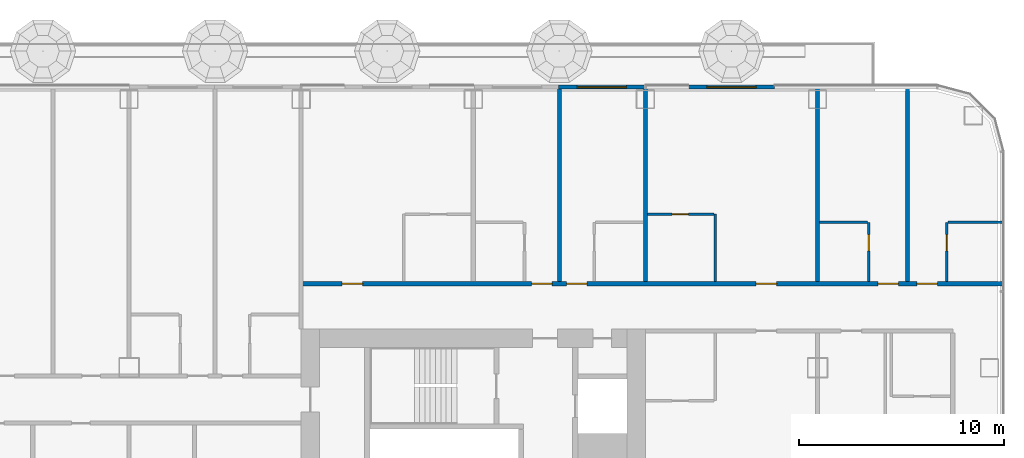
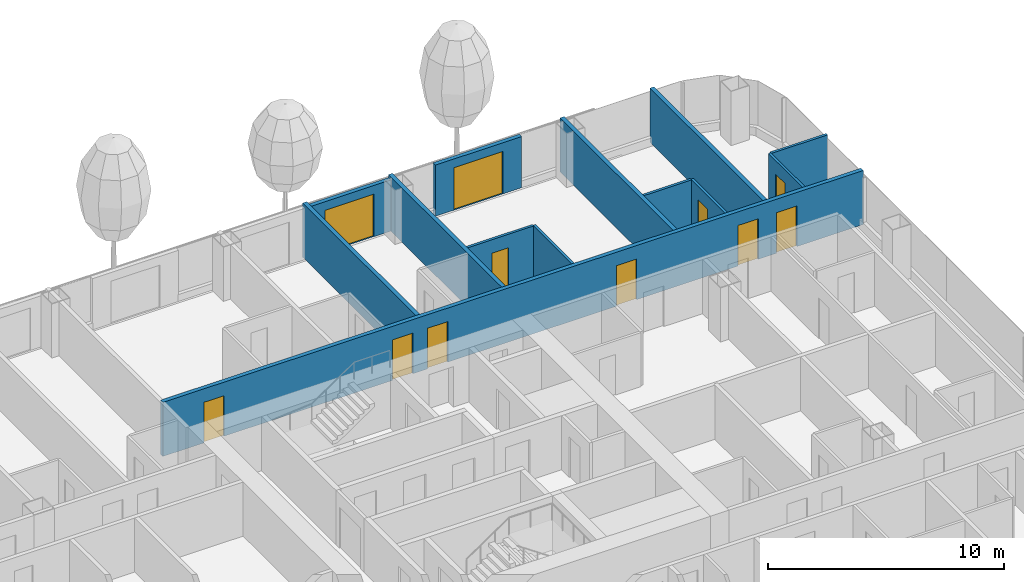
# One storey, part 20 of 36: 13 walls, 11 doors, 11 openings, 1 element without a shape of its own.
"""IFC4 building model written with IfcOpenShell, lengths in metres."""

import ifcopenshell
import ifcopenshell.guid

model = None  # the IFC model being written
_history = None  # IfcOwnerHistory: only IFC2X3 demands one
_inside = {}  # id of a spatial element -> (the spatial element, [elements in it])
_under = {}  # id of a project, library or spatial element -> (it, [spatial elements below it])
_declared = {}  # id of a project -> (the project, [libraries it declares])
_typed = {}  # id of a type object -> (the type object, [elements of that type])
_made_of = {}  # id of a material, layer set ... -> (it, [elements and type objects made of it])


def new_model(schema):
    """Start an empty IFC model of exactly this schema.

    Asked for "IFC4X3", IfcOpenShell would pick the latest addendum, in which some entities
    have other attributes; the version numbers below select the first issue.
    IFC2X3 requires an IfcOwnerHistory on every rooted entity: one is made here for all.
    """
    global model, _history
    if schema == "IFC4X3":
        model = ifcopenshell.file(schema_version=(4, 3, 0, 0))
    else:
        model = ifcopenshell.file(schema=schema)
    _inside.clear()
    _under.clear()
    _declared.clear()
    _typed.clear()
    _made_of.clear()
    _history = None
    if model.schema == "IFC2X3":
        org = make("IfcOrganization", Name="unknown")
        user = make(
            "IfcPersonAndOrganization",
            ThePerson=make("IfcPerson", FamilyName="unknown"),
            TheOrganization=org,
        )
        app = make(
            "IfcApplication",
            ApplicationDeveloper=org,
            Version="unknown",
            ApplicationFullName="unknown",
            ApplicationIdentifier="unknown",
        )
        _history = make(
            "IfcOwnerHistory",
            OwningUser=user,
            OwningApplication=app,
            ChangeAction="ADDED",
            CreationDate=0,
        )
    return model


def make(cls, **values):
    """One entity of the class cls with the attributes given. An attribute that is None is left unset."""
    return model.create_entity(
        cls, **{name: value for name, value in values.items() if value is not None}
    )


def rooted(cls, **values):
    """An entity with a GlobalId (a new one), such as an element, a storey or a relation."""
    return make(cls, GlobalId=ifcopenshell.guid.new(), OwnerHistory=_history, **values)


def si_unit(unit_type, name, prefix=None):
    """IfcSIUnit, for example si_unit("LENGTHUNIT", "METRE", prefix="MILLI")."""
    return make("IfcSIUnit", UnitType=unit_type, Prefix=prefix, Name=name)


def assignment(units):
    """IfcUnitAssignment: the units of a project."""
    return None if units is None else make("IfcUnitAssignment", Units=units)


def point(xyz):
    """IfcCartesianPoint."""
    return None if xyz is None else make("IfcCartesianPoint", Coordinates=xyz)


def direction(xyz):
    """IfcDirection."""
    return None if xyz is None else make("IfcDirection", DirectionRatios=xyz)


def frame(location, z_axis=None, x_axis=None):
    """IfcAxis2Placement3D, a coordinate frame: its origin and axes. An axis left out is left unset."""
    return make(
        "IfcAxis2Placement3D",
        Location=point(location),
        Axis=direction(z_axis),
        RefDirection=direction(x_axis),
    )


def frame_2d(location, x_axis=None):
    """IfcAxis2Placement2D, a coordinate frame in the plane: its origin and x axis."""
    return make(
        "IfcAxis2Placement2D", Location=point(location), RefDirection=direction(x_axis)
    )


def origin():
    """The frame at (0, 0, 0) with its axes left unset."""
    return frame((0.0, 0.0, 0.0))


def place(relative_to, where):
    """IfcLocalPlacement: puts the frame where relative to a parent placement (None: the world)."""
    return make(
        "IfcLocalPlacement", PlacementRelTo=relative_to, RelativePlacement=where
    )


def context(
    kind, dimensions, precision=None, world=None, true_north=None, identifier=None
):
    """IfcGeometricRepresentationContext, for example the 3D "Model" context."""
    return make(
        "IfcGeometricRepresentationContext",
        ContextIdentifier=identifier,
        ContextType=kind,
        CoordinateSpaceDimension=dimensions,
        Precision=precision,
        WorldCoordinateSystem=world,
        TrueNorth=true_north,
    )


def subcontext(parent, identifier, kind, view, scale=None):
    """IfcGeometricRepresentationSubContext, for example "Body" below "Model"."""
    return make(
        "IfcGeometricRepresentationSubContext",
        ContextIdentifier=identifier,
        ContextType=kind,
        ParentContext=parent,
        TargetScale=scale,
        TargetView=view,
    )


def project(units=None, contexts=None):
    """IfcProject with its units and contexts."""
    return rooted(
        "IfcProject",
        Name="project",
        RepresentationContexts=contexts,
        UnitsInContext=assignment(units),
    )


def spatial(cls, under=None, at=None, **own):
    """A site, building, storey or space (cls), placed at a placement, below another one or the project."""
    s = rooted(cls, ObjectPlacement=at, **own)
    if under is not None:
        _under.setdefault(under.id(), (under, []))[1].append(s)
    return s


def profile(cls, at=None, kind="AREA", **sizes):
    """A parametric profile (cls). Its sizes go by their IFC names, for example OverallWidth=200.0."""
    return make(cls, ProfileType=kind, Position=at, **sizes)


def rectangle(**sizes):
    """IfcRectangleProfileDef."""
    return profile("IfcRectangleProfileDef", **sizes)


def extrude(swept, where, along, depth):
    """IfcExtrudedAreaSolid: the profile swept, set in the frame where, extruded along a direction by depth."""
    return make(
        "IfcExtrudedAreaSolid",
        SweptArea=swept,
        Position=where,
        ExtrudedDirection=direction(along),
        Depth=depth,
    )


def shape(context_of_items, identifier, shape_type, items):
    """IfcShapeRepresentation: the items that make up one representation, for example the "Body"."""
    return make(
        "IfcShapeRepresentation",
        ContextOfItems=context_of_items,
        RepresentationIdentifier=identifier,
        RepresentationType=shape_type,
        Items=items,
    )


def material(Name=None, Category=None):
    """IfcMaterial."""
    return make("IfcMaterial", Name=Name, Category=Category)


def layer(
    of_material, thickness, ventilated=None, Name=None, Category=None, Priority=None
):
    """IfcMaterialLayer: one layer of a wall or slab, of a material (None: an air gap)."""
    return make(
        "IfcMaterialLayer",
        Material=of_material,
        LayerThickness=thickness,
        IsVentilated=ventilated,
        Name=Name,
        Category=Category,
        Priority=Priority,
    )


def layer_set(layers, Name=None):
    """IfcMaterialLayerSet."""
    return make("IfcMaterialLayerSet", MaterialLayers=layers, LayerSetName=Name)


def made_of(thing, what):
    """Note that an element or type object is made of a material, layer set ...; save() writes the relation."""
    if what is not None:
        _made_of.setdefault(what.id(), (what, []))[1].append(thing)
    return thing


def type_object(cls, material=None, **own):
    """A type object (cls), such as IfcWallType, which elements share."""
    return made_of(rooted(cls, **own), material)


def element(
    cls,
    number,
    at=None,
    inside=None,
    cuts=None,
    type_object=None,
    material=None,
    context=None,
    identifier="Body",
    shape_type=None,
    held_by="IfcProductDefinitionShape",
    body=None,
    shapes=None,
    **own,
):
    """One element of the class cls, such as IfcWall. Its Tag is "e" and its number.

    at: its placement. inside: the storey or other place that contains it. cuts: it is an
    opening in that element (IfcRelVoidsElement). A single representation is given by context,
    identifier, shape_type and body (its items); several are given by shapes. held_by: the class
    of the entity that holds the representations. save() writes the other relations.
    """
    e = rooted(cls, Tag="e%d" % number, ObjectPlacement=at, **own)
    if body is not None:
        shapes = [shape(context, identifier, shape_type, body)]
    if shapes is not None:
        e.Representation = make(held_by, Representations=shapes)
    if inside is not None:
        _inside.setdefault(inside.id(), (inside, []))[1].append(e)
    if cuts is not None:
        rooted(
            "IfcRelVoidsElement", RelatingBuildingElement=cuts, RelatedOpeningElement=e
        )
    if type_object is not None:
        _typed.setdefault(type_object.id(), (type_object, []))[1].append(e)
    return made_of(e, material)


def fill(opening, filler):
    """IfcRelFillsElement: the door or window that sits in an opening."""
    return rooted(
        "IfcRelFillsElement",
        RelatingOpeningElement=opening,
        RelatedBuildingElement=filler,
    )


def aggregate(whole, parts):
    """IfcRelAggregates: a whole, such as a stair, and the parts it consists of."""
    return rooted("IfcRelAggregates", RelatingObject=whole, RelatedObjects=parts)


def save(model, path):
    """Write the relations noted so far, then the file.

    IfcRelAggregates (storeys below a building ...), IfcRelContainedInSpatialStructure (elements
    in a storey), IfcRelDefinesByType, IfcRelAssociatesMaterial and IfcRelDeclares: one each for
    every whole, place, type object, material and project.
    """
    for whole, parts in _under.values():
        aggregate(whole, parts)
    for where, things in _inside.values():
        rooted(
            "IfcRelContainedInSpatialStructure",
            RelatedElements=things,
            RelatingStructure=where,
        )
    for kind, things in _typed.values():
        rooted("IfcRelDefinesByType", RelatedObjects=things, RelatingType=kind)
    for what, things in _made_of.values():
        rooted("IfcRelAssociatesMaterial", RelatedObjects=things, RelatingMaterial=what)
    for by, libraries in _declared.values():
        rooted("IfcRelDeclares", RelatingContext=by, RelatedDefinitions=libraries)
    model.write(path)


model = new_model("IFC4")

# Units and contexts
model_context = context("Model", 3, precision=1e-05, world=origin(), true_north=direction((0.0, 1.0)))
body_context = subcontext(model_context, "Body", "Model", "MODEL_VIEW")
ifc_project = project(units=[si_unit("LENGTHUNIT", "METRE"), si_unit("AREAUNIT", "SQUARE_METRE"), si_unit("VOLUMEUNIT", "CUBIC_METRE"), si_unit("PLANEANGLEUNIT", "RADIAN"), si_unit("MASSUNIT", "GRAM", prefix="KILO")], contexts=[model_context])

# Site, building, storey
site_placement = place(None, origin())
site = spatial("IfcSite", under=ifc_project, at=site_placement, CompositionType="ELEMENT")
building_placement = place(site_placement, origin())
building = spatial("IfcBuilding", under=site, at=building_placement, Name="Hakoniwa Tower and Hamabe Station Hall", CompositionType="ELEMENT")
storey_placement = place(building_placement, frame((0.0, 0.0, 26.199951171875)))
storey = spatial("IfcBuildingStorey", under=building, at=storey_placement, Name="L06", CompositionType="ELEMENT", Elevation=26.199951171875)

# Walls
ifc_material_1 = material(Name="Gypsum board partition", Category="gypsum")
ifc_layer_1 = layer(ifc_material_1, 0.125)
ifc_layer_set_1 = layer_set([ifc_layer_1], Name="Bathroom Partition 125")
wall_type_1 = type_object("IfcWallType", Name="Bathroom Partition 125", PredefinedType="PARTITIONING", material=ifc_layer_set_1)
wall_1_placement = place(storey_placement, frame((42.10009765625, 13.60009765625, 0.0), z_axis=(0.0, 0.0, 1.0), x_axis=(1.0, 0.0, 0.0)))
element("IfcWall", 1, at=wall_1_placement, inside=storey, type_object=wall_type_1, Name="GW-L06-047", PredefinedType="PARTITIONING", context=body_context, shape_type="SweptSolid", body=[
    extrude(rectangle(XDim=2.33740234375, YDim=0.125, at=frame_2d((1.168701171875, 0.0))), origin(), (0.0, 0.0, 1.0), 2.800048828125),
])
wall_2_placement = place(storey_placement, frame((48.362548828125, 13.60009765625, 0.0), z_axis=(0.0, 0.0, 1.0), x_axis=(1.0, 0.0, 0.0)))
element("IfcWall", 2, at=wall_2_placement, inside=storey, type_object=wall_type_1, Name="GW-L06-048", PredefinedType="PARTITIONING", context=body_context, shape_type="SweptSolid", body=[
    extrude(rectangle(XDim=2.737548828125, YDim=0.125, at=frame_2d((1.36865234375, 0.0))), origin(), (0.0, 0.0, 1.0), 2.800048828125),
])

# Wall, opening, door
wall_3_placement = place(storey_placement, frame((33.699951171875, 14.0, 0.0), z_axis=(0.0, 0.0, 1.0), x_axis=(1.0, 0.0, 0.0)))
wall_3 = element("IfcWall", 3, at=wall_3_placement, inside=storey, type_object=wall_type_1, Name="GW-L06-052", PredefinedType="PARTITIONING", context=body_context, shape_type="SweptSolid", body=[
    extrude(rectangle(XDim=3.237548828125, YDim=0.125, at=frame_2d((1.61865234375, 0.0))), origin(), (0.0, 0.0, 1.0), 2.800048828125),
])
opening_1_placement = place(wall_3_placement, frame((1.199951171875, 0.0, 0.0)))
opening_1 = element("IfcOpeningElement", 4, at=opening_1_placement, cuts=wall_3, Name="Opening GD-G1C0-67", PredefinedType="OPENING", context=body_context, shape_type="SweptSolid", body=[
    extrude(rectangle(XDim=0.800048828125, YDim=2.10009765625, at=frame_2d((0.39990234375, 1.050048828125))), frame((0.0, 0.072509765625, 0.0), z_axis=(0.0, -1.0, 0.0), x_axis=(1.0, 0.0, 0.0)), (0.0, 0.0, 1.0), 0.14501953125),
])
ifc_material_2 = material(Name="Timber door leaf", Category="wood")
door_type_1 = type_object("IfcDoorType", Name="Bathroom Door 800", OperationType="SINGLE_SWING_LEFT", PredefinedType="DOOR", material=ifc_material_2)
door_1_placement = place(opening_1_placement, origin())
door_1 = element("IfcDoor", 5, at=door_1_placement, inside=storey, type_object=door_type_1, Name="Door GD-G1C0-67", OperationType="SINGLE_SWING_LEFT", OverallHeight=2.10009765625, OverallWidth=0.800048828125, PredefinedType="DOOR", context=body_context, shape_type="SweptSolid", body=[
    extrude(rectangle(XDim=0.800048828125, YDim=2.10009765625, at=frame_2d((0.39990234375, 1.050048828125))), frame((0.0, 0.02490234375, 0.0), z_axis=(0.0, -1.0, 0.0), x_axis=(1.0, 0.0, 0.0)), (0.0, 0.0, 1.0), 0.050048828125),
])
fill(opening_1, door_1)

# Wall
wall_4_placement = place(storey_placement, frame((37.0, 10.699951171875, 0.0), z_axis=(0.0, 0.0, 1.0), x_axis=(0.0, 1.0, 0.0)))
element("IfcWall", 6, at=wall_4_placement, inside=storey, type_object=wall_type_1, Name="GW-L06-125", PredefinedType="PARTITIONING", context=body_context, shape_type="SweptSolid", body=[
    extrude(rectangle(XDim=3.300048828125, YDim=0.125, at=frame_2d((1.64990234375, 0.0))), origin(), (0.0, 0.0, 1.0), 2.800048828125),
])

# Wall, opening, door
wall_5_placement = place(storey_placement, frame((44.5, 10.699951171875, 0.0), z_axis=(0.0, 0.0, 1.0), x_axis=(0.0, 1.0, 0.0)))
wall_5 = element("IfcWall", 7, at=wall_5_placement, inside=storey, type_object=wall_type_1, Name="GW-L06-133", PredefinedType="PARTITIONING", context=body_context, shape_type="SweptSolid", body=[
    extrude(rectangle(XDim=2.900146484375, YDim=0.125, at=frame_2d((1.4501953125, 0.0))), origin(), (0.0, 0.0, 1.0), 2.800048828125),
])
opening_2_placement = place(wall_5_placement, frame((1.5, 0.0, 0.0)))
opening_2 = element("IfcOpeningElement", 8, at=opening_2_placement, cuts=wall_5, Name="Opening GD-G1C0-93", PredefinedType="OPENING", context=body_context, shape_type="SweptSolid", body=[
    extrude(rectangle(XDim=0.800048828125, YDim=2.10009765625, at=frame_2d((0.39990234375, 1.050048828125))), frame((0.0, 0.072509765625, 0.0), z_axis=(0.0, -1.0, 0.0), x_axis=(1.0, 0.0, 0.0)), (0.0, 0.0, 1.0), 0.14501953125),
])
door_2_placement = place(opening_2_placement, origin())
door_2 = element("IfcDoor", 9, at=door_2_placement, inside=storey, type_object=door_type_1, Name="Door GD-G1C0-93", OperationType="SINGLE_SWING_LEFT", OverallHeight=2.10009765625, OverallWidth=0.800048828125, PredefinedType="DOOR", context=body_context, shape_type="SweptSolid", body=[
    extrude(rectangle(XDim=0.800048828125, YDim=2.10009765625, at=frame_2d((0.39990234375, 1.050048828125))), frame((0.0, 0.02490234375, 0.0), z_axis=(0.0, -1.0, 0.0), x_axis=(1.0, 0.0, 0.0)), (0.0, 0.0, 1.0), 0.050048828125),
])
fill(opening_2, door_2)

wall_6_placement = place(storey_placement, frame((48.300048828125, 10.699951171875, 0.0), z_axis=(0.0, 0.0, 1.0), x_axis=(0.0, 1.0, 0.0)))
wall_6 = element("IfcWall", 10, at=wall_6_placement, inside=storey, type_object=wall_type_1, Name="GW-L06-140", PredefinedType="PARTITIONING", context=body_context, shape_type="SweptSolid", body=[
    extrude(rectangle(XDim=2.900146484375, YDim=0.125, at=frame_2d((1.4501953125, 0.0))), origin(), (0.0, 0.0, 1.0), 2.800048828125),
])
opening_3_placement = place(wall_6_placement, frame((1.5, 0.0, 0.0)))
opening_3 = element("IfcOpeningElement", 11, at=opening_3_placement, cuts=wall_6, Name="Opening GD-G1C0-97", PredefinedType="OPENING", context=body_context, shape_type="SweptSolid", body=[
    extrude(rectangle(XDim=0.800048828125, YDim=2.10009765625, at=frame_2d((0.39990234375, 1.050048828125))), frame((0.0, 0.072509765625, 0.0), z_axis=(0.0, -1.0, 0.0), x_axis=(1.0, 0.0, 0.0)), (0.0, 0.0, 1.0), 0.14501953125),
])
door_3_placement = place(opening_3_placement, origin())
door_3 = element("IfcDoor", 12, at=door_3_placement, inside=storey, type_object=door_type_1, Name="Door GD-G1C0-97", OperationType="SINGLE_SWING_RIGHT", OverallHeight=2.10009765625, OverallWidth=0.800048828125, PredefinedType="DOOR", context=body_context, shape_type="SweptSolid", body=[
    extrude(rectangle(XDim=0.800048828125, YDim=2.10009765625, at=frame_2d((0.39990234375, 1.050048828125))), frame((0.0, 0.02490234375, 0.0), z_axis=(0.0, -1.0, 0.0), x_axis=(1.0, 0.0, 0.0)), (0.0, 0.0, 1.0), 0.050048828125),
])
fill(opening_3, door_3)

# Wall, openings, doors
ifc_material_3 = material(Name="Fire-rated gypsum board partition", Category="gypsum")
ifc_layer_2 = layer(ifc_material_3, 0.199951171875)
ifc_layer_set_2 = layer_set([ifc_layer_2], Name="Corridor Wall 200")
wall_type_2 = type_object("IfcWallType", Name="Corridor Wall 200", PredefinedType="PARTITIONING", material=ifc_layer_set_2)
wall_7_placement = place(storey_placement, frame((16.800048828125, 10.60009765625, 0.0), z_axis=(0.0, 0.0, 1.0), x_axis=(1.0, 0.0, 0.0)))
wall_7 = element("IfcWall", 13, at=wall_7_placement, inside=storey, type_object=wall_type_2, Name="GW-L06-040", PredefinedType="PARTITIONING", context=body_context, shape_type="SweptSolid", body=[
    extrude(rectangle(XDim=34.300048828125, YDim=0.199951171875, at=frame_2d((17.14990234375, 0.0))), origin(), (0.0, 0.0, 1.0), 2.800048828125),
])
opening_4_placement = place(wall_7_placement, frame((2.0, 0.0, 0.0)))
opening_4 = element("IfcOpeningElement", 14, at=opening_4_placement, cuts=wall_7, Name="Opening GD-G1C0-59", PredefinedType="OPENING", context=body_context, shape_type="SweptSolid", body=[
    extrude(rectangle(XDim=1.0, YDim=2.10009765625, at=frame_2d((0.5, 1.050048828125))), frame((0.0, 0.10986328125, 0.0), z_axis=(0.0, -1.0, 0.0), x_axis=(1.0, 0.0, 0.0)), (0.0, 0.0, 1.0), 0.219970703125),
])
opening_5_placement = place(wall_7_placement, frame((11.25, 0.0, 0.0)))
opening_5 = element("IfcOpeningElement", 15, at=opening_5_placement, cuts=wall_7, Name="Opening GD-G1C0-60", PredefinedType="OPENING", context=body_context, shape_type="SweptSolid", body=[
    extrude(rectangle(XDim=1.0, YDim=2.10009765625, at=frame_2d((0.5, 1.050048828125))), frame((0.0, 0.10986328125, 0.0), z_axis=(0.0, -1.0, 0.0), x_axis=(1.0, 0.0, 0.0)), (0.0, 0.0, 1.0), 0.219970703125),
])
opening_6_placement = place(wall_7_placement, frame((12.949951171875, 0.0, 0.0)))
opening_6 = element("IfcOpeningElement", 16, at=opening_6_placement, cuts=wall_7, Name="Opening GD-G1C0-61", PredefinedType="OPENING", context=body_context, shape_type="SweptSolid", body=[
    extrude(rectangle(XDim=1.0, YDim=2.10009765625, at=frame_2d((0.5, 1.050048828125))), frame((0.0, 0.10986328125, 0.0), z_axis=(0.0, -1.0, 0.0), x_axis=(1.0, 0.0, 0.0)), (0.0, 0.0, 1.0), 0.219970703125),
])
opening_7_placement = place(wall_7_placement, frame((22.199951171875, 0.0, 0.0)))
opening_7 = element("IfcOpeningElement", 17, at=opening_7_placement, cuts=wall_7, Name="Opening GD-G1C0-62", PredefinedType="OPENING", context=body_context, shape_type="SweptSolid", body=[
    extrude(rectangle(XDim=1.0, YDim=2.10009765625, at=frame_2d((0.5, 1.050048828125))), frame((0.0, 0.10986328125, 0.0), z_axis=(0.0, -1.0, 0.0), x_axis=(1.0, 0.0, 0.0)), (0.0, 0.0, 1.0), 0.219970703125),
])
opening_8_placement = place(wall_7_placement, frame((28.14990234375, 0.0, 0.0)))
opening_8 = element("IfcOpeningElement", 18, at=opening_8_placement, cuts=wall_7, Name="Opening GD-G1C0-63", PredefinedType="OPENING", context=body_context, shape_type="SweptSolid", body=[
    extrude(rectangle(XDim=1.0, YDim=2.10009765625, at=frame_2d((0.5, 1.050048828125))), frame((0.0, 0.10986328125, 0.0), z_axis=(0.0, -1.0, 0.0), x_axis=(1.0, 0.0, 0.0)), (0.0, 0.0, 1.0), 0.219970703125),
])
opening_9_placement = place(wall_7_placement, frame((30.050048828125, 0.0, 0.0)))
opening_9 = element("IfcOpeningElement", 19, at=opening_9_placement, cuts=wall_7, Name="Opening GD-G1C0-64", PredefinedType="OPENING", context=body_context, shape_type="SweptSolid", body=[
    extrude(rectangle(XDim=1.0, YDim=2.10009765625, at=frame_2d((0.5, 1.050048828125))), frame((0.0, 0.10986328125, 0.0), z_axis=(0.0, -1.0, 0.0), x_axis=(1.0, 0.0, 0.0)), (0.0, 0.0, 1.0), 0.219970703125),
])
ifc_material_4 = material(Name="Timber door leaf", Category="wood")
door_type_2 = type_object("IfcDoorType", Name="Guest Entrance Door 1000", OperationType="SINGLE_SWING_LEFT", PredefinedType="DOOR", material=ifc_material_4)
door_4_placement = place(opening_4_placement, origin())
door_4 = element("IfcDoor", 20, at=door_4_placement, inside=storey, type_object=door_type_2, Name="Door GD-G1C0-59", OperationType="SINGLE_SWING_LEFT", OverallHeight=2.10009765625, OverallWidth=1.0, PredefinedType="DOOR", context=body_context, shape_type="SweptSolid", body=[
    extrude(rectangle(XDim=1.0, YDim=2.10009765625, at=frame_2d((0.5, 1.050048828125))), frame((0.0, 0.02490234375, 0.0), z_axis=(0.0, -1.0, 0.0), x_axis=(1.0, 0.0, 0.0)), (0.0, 0.0, 1.0), 0.050048828125),
])
fill(opening_4, door_4)
door_5_placement = place(opening_5_placement, origin())
door_5 = element("IfcDoor", 21, at=door_5_placement, inside=storey, type_object=door_type_2, Name="Door GD-G1C0-60", OperationType="SINGLE_SWING_LEFT", OverallHeight=2.10009765625, OverallWidth=1.0, PredefinedType="DOOR", context=body_context, shape_type="SweptSolid", body=[
    extrude(rectangle(XDim=1.0, YDim=2.10009765625, at=frame_2d((0.5, 1.050048828125))), frame((0.0, 0.02490234375, 0.0), z_axis=(0.0, -1.0, 0.0), x_axis=(1.0, 0.0, 0.0)), (0.0, 0.0, 1.0), 0.050048828125),
])
fill(opening_5, door_5)
door_6_placement = place(opening_6_placement, origin())
door_6 = element("IfcDoor", 22, at=door_6_placement, inside=storey, type_object=door_type_2, Name="Door GD-G1C0-61", OperationType="SINGLE_SWING_RIGHT", OverallHeight=2.10009765625, OverallWidth=1.0, PredefinedType="DOOR", context=body_context, shape_type="SweptSolid", body=[
    extrude(rectangle(XDim=1.0, YDim=2.10009765625, at=frame_2d((0.5, 1.050048828125))), frame((0.0, 0.02490234375, 0.0), z_axis=(0.0, -1.0, 0.0), x_axis=(1.0, 0.0, 0.0)), (0.0, 0.0, 1.0), 0.050048828125),
])
fill(opening_6, door_6)
door_7_placement = place(opening_7_placement, origin())
door_7 = element("IfcDoor", 23, at=door_7_placement, inside=storey, type_object=door_type_2, Name="Door GD-G1C0-62", OperationType="SINGLE_SWING_LEFT", OverallHeight=2.10009765625, OverallWidth=1.0, PredefinedType="DOOR", context=body_context, shape_type="SweptSolid", body=[
    extrude(rectangle(XDim=1.0, YDim=2.10009765625, at=frame_2d((0.5, 1.050048828125))), frame((0.0, 0.02490234375, 0.0), z_axis=(0.0, -1.0, 0.0), x_axis=(1.0, 0.0, 0.0)), (0.0, 0.0, 1.0), 0.050048828125),
])
fill(opening_7, door_7)
door_8_placement = place(opening_8_placement, origin())
door_8 = element("IfcDoor", 24, at=door_8_placement, inside=storey, type_object=door_type_2, Name="Door GD-G1C0-63", OperationType="SINGLE_SWING_RIGHT", OverallHeight=2.10009765625, OverallWidth=1.0, PredefinedType="DOOR", context=body_context, shape_type="SweptSolid", body=[
    extrude(rectangle(XDim=1.0, YDim=2.10009765625, at=frame_2d((0.5, 1.050048828125))), frame((0.0, 0.02490234375, 0.0), z_axis=(0.0, -1.0, 0.0), x_axis=(1.0, 0.0, 0.0)), (0.0, 0.0, 1.0), 0.050048828125),
])
fill(opening_8, door_8)
door_9_placement = place(opening_9_placement, origin())
door_9 = element("IfcDoor", 25, at=door_9_placement, inside=storey, type_object=door_type_2, Name="Door GD-G1C0-64", OperationType="SINGLE_SWING_LEFT", OverallHeight=2.10009765625, OverallWidth=1.0, PredefinedType="DOOR", context=body_context, shape_type="SweptSolid", body=[
    extrude(rectangle(XDim=1.0, YDim=2.10009765625, at=frame_2d((0.5, 1.050048828125))), frame((0.0, 0.02490234375, 0.0), z_axis=(0.0, -1.0, 0.0), x_axis=(1.0, 0.0, 0.0)), (0.0, 0.0, 1.0), 0.050048828125),
])
fill(opening_9, door_9)

# Curtain wall, walls, openings, doors
ifc_material_5 = material(Name="Dark low-e laminated glass", Category="glass")
ifc_layer_3 = layer(ifc_material_5, 0.199951171875)
ifc_layer_set_3 = layer_set([ifc_layer_3], Name="CW-1 UNITISED GUEST")
curtain_wall_type = type_object("IfcCurtainWallType", Name="CW-1 UNITISED GUEST", PredefinedType="NOTDEFINED", material=ifc_layer_set_3)
curtain_wall_placement = place(storey_placement, origin())
curtain_wall = element("IfcCurtainWall", 26, at=curtain_wall_placement, inside=storey, type_object=curtain_wall_type, Name="CW-1 curtain wall", PredefinedType="NOTDEFINED")
ifc_material_6 = material(Name="Dark glass-faced aluminium panel", Category="aluminium")
ifc_layer_4 = layer(ifc_material_6, 0.199951171875)
ifc_layer_set_4 = layer_set([ifc_layer_4], Name="DOOR BAY WALL")
wall_type_3 = type_object("IfcWallType", Name="DOOR BAY WALL", PredefinedType="NOTDEFINED", material=ifc_layer_set_4)
wall_8_placement = place(storey_placement, frame((39.909912109375, 20.199951171875, 0.0), z_axis=(0.0, 0.0, 1.0), x_axis=(-1.0, 0.0, 0.0)))
wall_8 = element("IfcWall", 27, at=wall_8_placement, type_object=wall_type_3, Name="Door bay wall", PredefinedType="NOTDEFINED", context=body_context, shape_type="SweptSolid", body=[
    extrude(rectangle(XDim=4.219970703125, YDim=0.199951171875, at=frame_2d((2.10986328125, 0.0))), origin(), (0.0, 0.0, 1.0), 2.650146484375),
])
opening_10_placement = place(wall_8_placement, frame((0.909912109375, 0.0, 0.0)))
opening_10 = element("IfcOpeningElement", 28, at=opening_10_placement, cuts=wall_8, Name="Opening BD-N03-14", PredefinedType="OPENING", context=body_context, shape_type="SweptSolid", body=[
    extrude(rectangle(XDim=2.39990234375, YDim=2.199951171875, at=frame_2d((1.199951171875, 1.10009765625))), frame((0.0, 0.10986328125, 0.0), z_axis=(0.0, -1.0, 0.0), x_axis=(1.0, 0.0, 0.0)), (0.0, 0.0, 1.0), 0.219970703125),
])
ifc_material_7 = material(Name="Dark low-e laminated glass", Category="glass")
door_type_3 = type_object("IfcDoorType", Name="BALCONY SLIDING DOOR 2400X2200", OperationType="SLIDING_TO_LEFT", PredefinedType="DOOR", material=ifc_material_7)
door_10_placement = place(opening_10_placement, frame((2.39990234375, 0.0, 0.0), z_axis=(0.0, 0.0, 1.0), x_axis=(-1.0, 0.0, 0.0)))
door_10 = element("IfcDoor", 29, at=door_10_placement, inside=storey, type_object=door_type_3, Name="Balcony sliding door", OperationType="SLIDING_TO_LEFT", OverallHeight=2.199951171875, OverallWidth=2.39990234375, PredefinedType="DOOR", context=body_context, shape_type="SweptSolid", body=[
    extrude(rectangle(XDim=2.39990234375, YDim=2.199951171875, at=frame_2d((1.199951171875, 1.10009765625))), frame((0.0, 0.02490234375, 0.0), z_axis=(0.0, -1.0, 0.0), x_axis=(1.0, 0.0, 0.0)), (0.0, 0.0, 1.0), 0.050048828125),
])
fill(opening_10, door_10)
wall_9_placement = place(storey_placement, frame((33.580078125, 20.199951171875, 0.0), z_axis=(0.0, 0.0, 1.0), x_axis=(-1.0, 0.0, 0.0)))
wall_9 = element("IfcWall", 30, at=wall_9_placement, type_object=wall_type_3, Name="Door bay wall", PredefinedType="NOTDEFINED", context=body_context, shape_type="SweptSolid", body=[
    extrude(rectangle(XDim=4.219970703125, YDim=0.199951171875, at=frame_2d((2.10986328125, 0.0))), origin(), (0.0, 0.0, 1.0), 2.650146484375),
])
opening_11_placement = place(wall_9_placement, frame((0.909912109375, 0.0, 0.0)))
opening_11 = element("IfcOpeningElement", 31, at=opening_11_placement, cuts=wall_9, Name="Opening BD-N03-13", PredefinedType="OPENING", context=body_context, shape_type="SweptSolid", body=[
    extrude(rectangle(XDim=2.39990234375, YDim=2.199951171875, at=frame_2d((1.199951171875, 1.10009765625))), frame((0.0, 0.10986328125, 0.0), z_axis=(0.0, -1.0, 0.0), x_axis=(1.0, 0.0, 0.0)), (0.0, 0.0, 1.0), 0.219970703125),
])
door_11_placement = place(opening_11_placement, frame((2.39990234375, 0.0, 0.0), z_axis=(0.0, 0.0, 1.0), x_axis=(-1.0, 0.0, 0.0)))
door_11 = element("IfcDoor", 32, at=door_11_placement, inside=storey, type_object=door_type_3, Name="Balcony sliding door", OperationType="SLIDING_TO_LEFT", OverallHeight=2.199951171875, OverallWidth=2.39990234375, PredefinedType="DOOR", context=body_context, shape_type="SweptSolid", body=[
    extrude(rectangle(XDim=2.39990234375, YDim=2.199951171875, at=frame_2d((1.199951171875, 1.10009765625))), frame((0.0, 0.02490234375, 0.0), z_axis=(0.0, -1.0, 0.0), x_axis=(1.0, 0.0, 0.0)), (0.0, 0.0, 1.0), 0.050048828125),
])
fill(opening_11, door_11)
aggregate(curtain_wall, [wall_8, wall_9])

# Walls
ifc_material_8 = material(Name="Fire-rated gypsum board partition", Category="gypsum")
ifc_layer_5 = layer(ifc_material_8, 0.199951171875)
ifc_layer_set_5 = layer_set([ifc_layer_5], Name="Party Wall 200")
wall_type_4 = type_object("IfcWallType", Name="Party Wall 200", PredefinedType="PARTITIONING", material=ifc_layer_set_5)
for number, where, z_axis, x_axis, name in (
    (33, (29.39990234375, 10.699951171875, 0.0), (0.0, 0.0, 1.0), (0.0, 1.0, 0.0), "GW-L06-118"),
    (34, (33.60009765625, 10.699951171875, 0.0), (0.0, 0.0, 1.0), (0.0, 1.0, 0.0), "GW-L06-122"),
    (35, (42.0, 10.699951171875, 0.0), (0.0, 0.0, 1.0), (0.0, 1.0, 0.0), "GW-L06-131"),
    (36, (46.39990234375, 10.699951171875, 0.0), (0.0, 0.0, 1.0), (0.0, 1.0, 0.0), "GW-L06-138"),
):
    element("IfcWall", number, at=place(storey_placement, frame(where, z_axis=z_axis, x_axis=x_axis)), inside=storey, type_object=wall_type_4, Name=name, PredefinedType="PARTITIONING", context=body_context, shape_type="SweptSolid", body=[
        extrude(rectangle(XDim=9.60009765625, YDim=0.199951171875, at=frame_2d((4.800048828125, 0.0))), origin(), (0.0, 0.0, 1.0), 2.800048828125),
    ])

save(model, "model.ifc")
